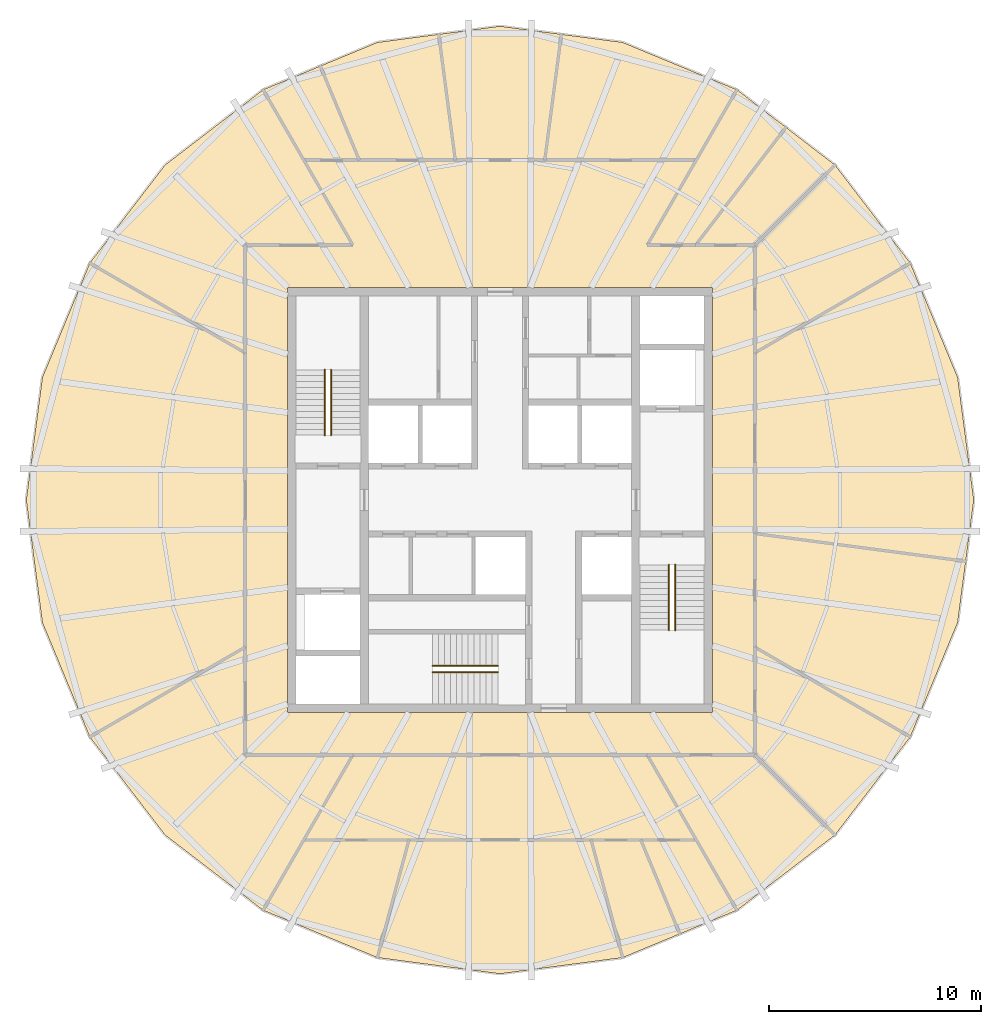
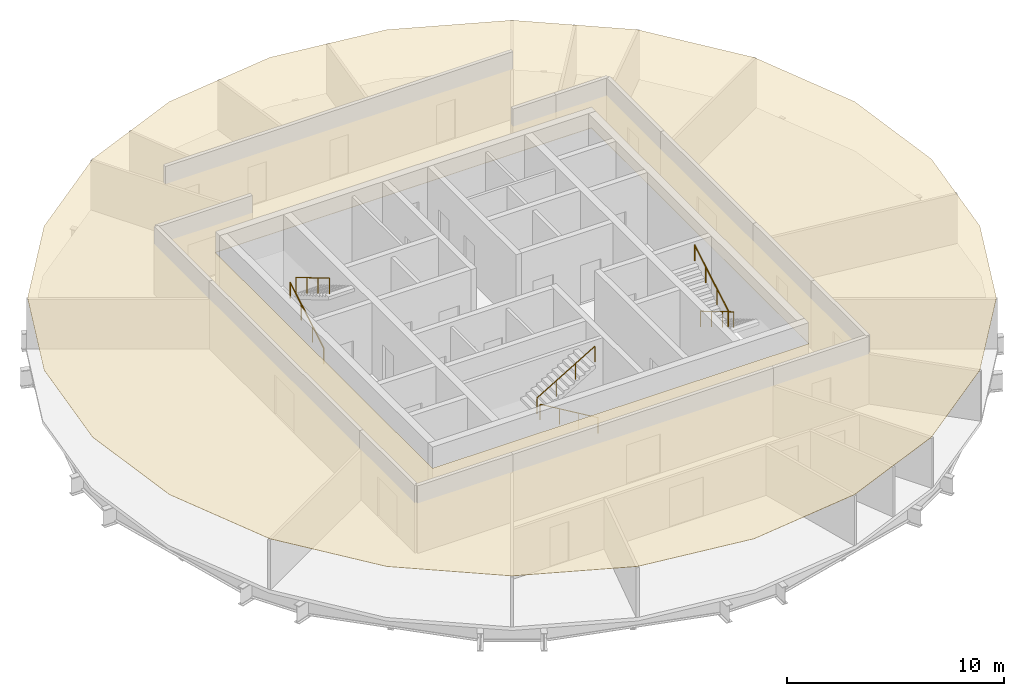
# One storey, part 6 of 6: 6 railings, 1 covering.
"""IFC4 building model written with IfcOpenShell, lengths in metres."""

from ifc_helpers import new_model, si_unit, direction, frame, origin, origin_2d, place, context, subcontext, project, spatial, polyline, circle, outline, extrude, material, layer, layer_set, type_object, element, save


model = new_model("IFC4")

# Units and contexts
model_context = context("Model", 3, precision=1e-05, world=origin(), true_north=direction((0.0, 1.0)))
body_context = subcontext(model_context, "Body", "Model", "MODEL_VIEW")
ifc_project = project(units=[si_unit("LENGTHUNIT", "METRE"), si_unit("AREAUNIT", "SQUARE_METRE"), si_unit("VOLUMEUNIT", "CUBIC_METRE"), si_unit("PLANEANGLEUNIT", "RADIAN"), si_unit("MASSUNIT", "GRAM", prefix="KILO")], contexts=[model_context])

# Site, building, storey
site_placement = place(None, origin())
site = spatial("IfcSite", under=ifc_project, at=site_placement, CompositionType="ELEMENT")
building_placement = place(site_placement, origin())
building = spatial("IfcBuilding", under=site, at=building_placement, Name="Golbaran Civic Tower", CompositionType="ELEMENT")
storey_placement = place(building_placement, frame((0.0, 0.0, 252.0)))
storey = spatial("IfcBuildingStorey", under=building, at=storey_placement, Name="L61", CompositionType="ELEMENT", Elevation=252.0)

# Railings
ifc_material_1 = material(Name="Stainless steel", Category="steel")
railing_type = type_object("IfcRailingType", Name="STAIR HANDRAIL 900", PredefinedType="HANDRAIL", material=ifc_material_1)
railing_1_placement = place(storey_placement, frame((-8.25, 3.050048828125, 0.166748046875)))
element("IfcRailing", 1, at=railing_1_placement, inside=storey, type_object=railing_type, Name="Stair S1 handrail flight 1 L61", PredefinedType="HANDRAIL", context=body_context, shape_type="SweptSolid", body=[
    extrude(circle(Radius=0.02392578125, at=origin_2d()), frame((0.0, 0.0, 0.8759765625), z_axis=(0.0, 0.859290745958, 0.51148745235), x_axis=(-1.0, 0.0, 0.0)), (0.0, 0.0, 1.0), 3.584228515625),
    extrude(circle(Radius=0.02099609375, at=origin_2d()), origin(), (0.0, 0.0, 1.0), 0.851806640625),
    extrude(circle(Radius=0.02099609375, at=origin_2d()), frame((0.0, 1.026611328125, 0.611083984375)), (0.0, 0.0, 1.0), 0.851806640625),
    extrude(circle(Radius=0.02099609375, at=origin_2d()), frame((0.0, 2.05322265625, 1.22216796875)), (0.0, 0.0, 1.0), 0.851806640625),
    extrude(circle(Radius=0.02099609375, at=origin_2d()), frame((0.0, 3.079833984375, 1.833251953125)), (0.0, 0.0, 1.0), 0.851806640625),
])
for number, where, name in (
    (2, (-7.949951171875, 6.1298828125, 2.166748046875), "Stair S1 handrail flight 2 L61"),
    (3, (8.25, -3.050048828125, 0.166748046875), "Stair S2 handrail flight 1 L61"),
):
    element("IfcRailing", number, at=place(storey_placement, frame(where)), inside=storey, type_object=railing_type, Name=name, PredefinedType="HANDRAIL", context=body_context, shape_type="SweptSolid", body=[
        extrude(circle(Radius=0.02392578125, at=origin_2d()), frame((0.0, 0.0, 0.8759765625), z_axis=(0.0, -0.859290745958, 0.51148745235), x_axis=(1.0, 0.0, 0.0)), (0.0, 0.0, 1.0), 3.584228515625),
        extrude(circle(Radius=0.02099609375, at=origin_2d()), origin(), (0.0, 0.0, 1.0), 0.851806640625),
        extrude(circle(Radius=0.02099609375, at=origin_2d()), frame((0.0, -1.026611328125, 0.611083984375)), (0.0, 0.0, 1.0), 0.851806640625),
        extrude(circle(Radius=0.02099609375, at=origin_2d()), frame((0.0, -2.05322265625, 1.22216796875)), (0.0, 0.0, 1.0), 0.851806640625),
        extrude(circle(Radius=0.02099609375, at=origin_2d()), frame((0.0, -3.079833984375, 1.833251953125)), (0.0, 0.0, 1.0), 0.851806640625),
    ])
railing_2_placement = place(storey_placement, frame((7.949951171875, -6.1298828125, 2.166748046875)))
element("IfcRailing", 4, at=railing_2_placement, inside=storey, type_object=railing_type, Name="Stair S2 handrail flight 2 L61", PredefinedType="HANDRAIL", context=body_context, shape_type="SweptSolid", body=[
    extrude(circle(Radius=0.02392578125, at=origin_2d()), frame((0.0, 0.0, 0.8759765625), z_axis=(0.0, 0.859290745958, 0.51148745235), x_axis=(-1.0, 0.0, 0.0)), (0.0, 0.0, 1.0), 3.584228515625),
    extrude(circle(Radius=0.02099609375, at=origin_2d()), origin(), (0.0, 0.0, 1.0), 0.851806640625),
    extrude(circle(Radius=0.02099609375, at=origin_2d()), frame((0.0, 1.026611328125, 0.611083984375)), (0.0, 0.0, 1.0), 0.851806640625),
    extrude(circle(Radius=0.02099609375, at=origin_2d()), frame((0.0, 2.05322265625, 1.22216796875)), (0.0, 0.0, 1.0), 0.851806640625),
    extrude(circle(Radius=0.02099609375, at=origin_2d()), frame((0.0, 3.079833984375, 1.833251953125)), (0.0, 0.0, 1.0), 0.851806640625),
])
railing_3_placement = place(storey_placement, frame((-0.10009765625, -8.10009765625, 0.166748046875)))
element("IfcRailing", 5, at=railing_3_placement, inside=storey, type_object=railing_type, Name="Stair S3 handrail flight 1 L61", PredefinedType="HANDRAIL", context=body_context, shape_type="SweptSolid", body=[
    extrude(circle(Radius=0.02392578125, at=origin_2d()), frame((0.0, 0.0, 0.8759765625), z_axis=(-0.859290745958, 0.0, 0.51148745235), x_axis=(0.0, -1.0, 0.0)), (0.0, 0.0, 1.0), 3.584228515625),
    extrude(circle(Radius=0.02099609375, at=origin_2d()), origin(), (0.0, 0.0, 1.0), 0.851806640625),
    extrude(circle(Radius=0.02099609375, at=origin_2d()), frame((-1.026611328125, 0.0, 0.611083984375)), (0.0, 0.0, 1.0), 0.851806640625),
    extrude(circle(Radius=0.02099609375, at=origin_2d()), frame((-2.05322265625, 0.0, 1.22216796875)), (0.0, 0.0, 1.0), 0.851806640625),
    extrude(circle(Radius=0.02099609375, at=origin_2d()), frame((-3.079833984375, 0.0, 1.833251953125)), (0.0, 0.0, 1.0), 0.851806640625),
])
railing_4_placement = place(storey_placement, frame((-3.179931640625, -7.800048828125, 2.166748046875)))
element("IfcRailing", 6, at=railing_4_placement, inside=storey, type_object=railing_type, Name="Stair S3 handrail flight 2 L61", PredefinedType="HANDRAIL", context=body_context, shape_type="SweptSolid", body=[
    extrude(circle(Radius=0.02392578125, at=origin_2d()), frame((0.0, 0.0, 0.8759765625), z_axis=(0.859290745958, 0.0, 0.51148745235), x_axis=(0.0, 1.0, 0.0)), (0.0, 0.0, 1.0), 3.584228515625),
    extrude(circle(Radius=0.02099609375, at=origin_2d()), origin(), (0.0, 0.0, 1.0), 0.851806640625),
    extrude(circle(Radius=0.02099609375, at=origin_2d()), frame((1.026611328125, 0.0, 0.611083984375)), (0.0, 0.0, 1.0), 0.851806640625),
    extrude(circle(Radius=0.02099609375, at=origin_2d()), frame((2.05322265625, 0.0, 1.22216796875)), (0.0, 0.0, 1.0), 0.851806640625),
    extrude(circle(Radius=0.02099609375, at=origin_2d()), frame((3.079833984375, 0.0, 1.833251953125)), (0.0, 0.0, 1.0), 0.851806640625),
])

# Covering
ifc_material_2 = material(Name="Mineral fibre tile on steel grid", Category="steel")
ifc_layer = layer(ifc_material_2, 0.02001953125, Name="Mineral fibre tile on steel grid")
ifc_layer_set = layer_set([ifc_layer], Name="Mineral fibre tile on steel grid")
covering_type = type_object("IfcCoveringType", Name="SUSPENDED CEILING 600 TILE 20", PredefinedType="CEILING", material=ifc_layer_set)
covering_placement = place(storey_placement, frame((0.0, 0.0, 2.800048828125)))
element("IfcCovering", 7, at=covering_placement, inside=storey, type_object=covering_type, Name="Suspended ceiling L61", PredefinedType="CEILING", context=body_context, shape_type="SweptSolid", body=[
    extrude(outline(polyline([(-21.5419921875, 5.772216796875), (-19.314208984375, 11.15087890625), (-15.769775390625, 15.769775390625), (-11.15087890625, 19.314208984375), (-8.322998046875, 20.485595703125), (-5.772216796875, 21.5419921875), (0.0, 22.302001953125), (5.772216796875, 21.5419921875), (11.15087890625, 19.314208984375), (15.769775390625, 15.769775390625), (19.314208984375, 11.15087890625), (21.5419921875, 5.772216796875), (22.302001953125, 0.0), (21.5419921875, -5.772216796875), (19.314208984375, -11.15087890625), (15.769775390625, -15.769775390625), (11.15087890625, -19.314208984375), (8.322998046875, -20.485595703125), (5.772216796875, -21.5419921875), (0.0, -22.302001953125), (-5.772216796875, -21.5419921875), (-11.15087890625, -19.314208984375), (-15.769775390625, -15.769775390625), (-19.314208984375, -11.15087890625), (-21.5419921875, -5.772216796875), (-22.302001953125, 0.0), (-21.5419921875, 5.772216796875)]), holes=[polyline([(-10.0, 10.0), (-10.0, -10.0), (10.0, -10.0), (10.0, 10.0), (-10.0, 10.0)])]), origin(), (0.0, 0.0, 1.0), 0.02001953125),
])

save(model, "model.ifc")
